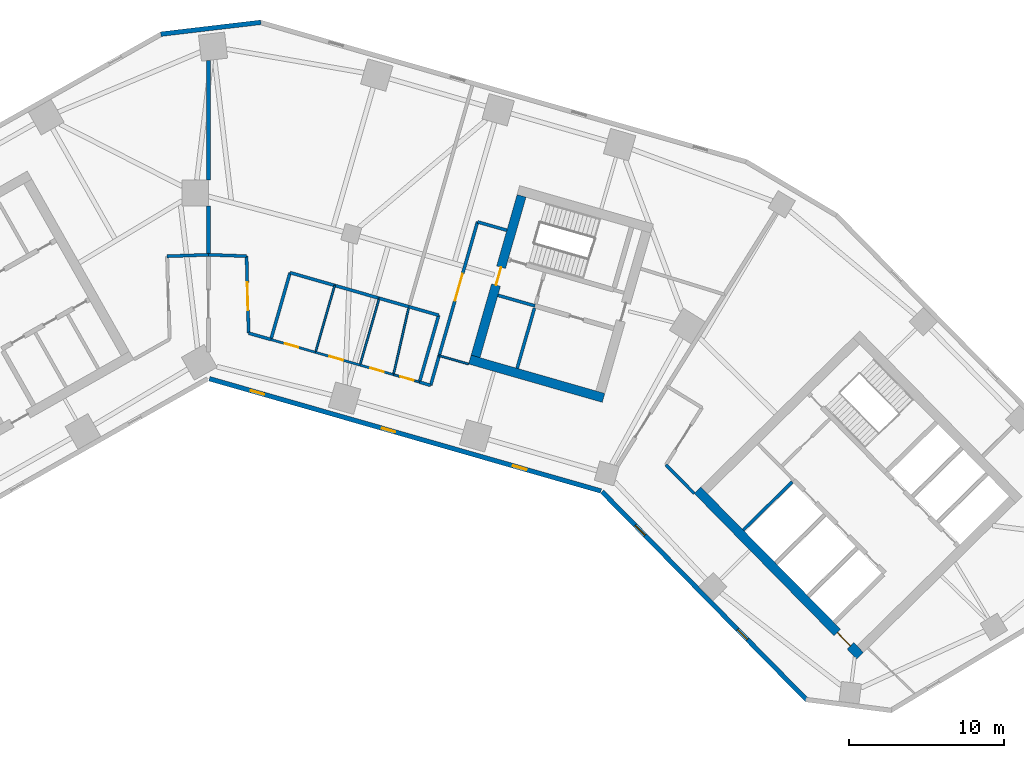
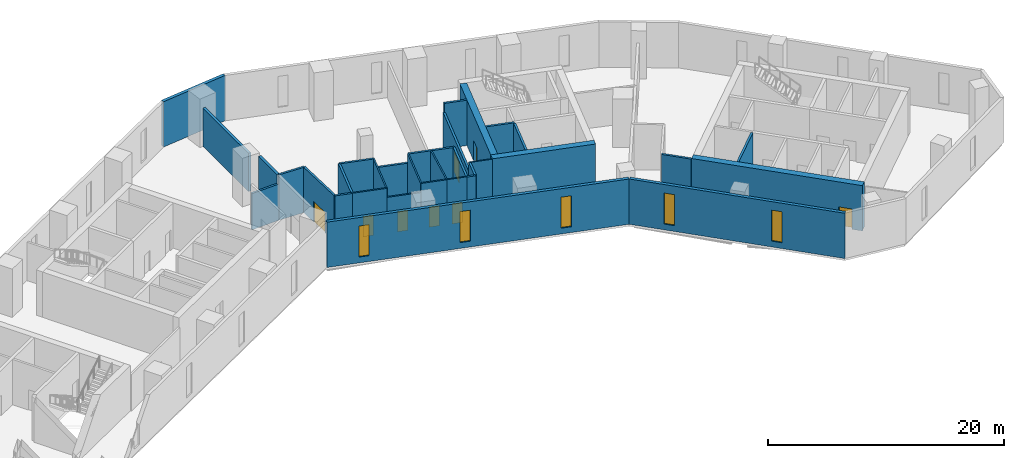
# One storey, part 5 of 10: 34 walls, 8 doors, 5 windows, 13 openings.
"""IFC4 building model written with IfcOpenShell, lengths in metres."""

from ifc_helpers import new_model, si_unit, direction, frame, frame_2d, origin, place, context, subcontext, project, spatial, rectangle, extrude, material, layer, layer_set, type_object, element, fill, save


model = new_model("IFC4")

# Units and contexts
model_context = context("Model", 3, precision=1e-05, world=origin(), true_north=direction((0.0, 1.0)))
body_context = subcontext(model_context, "Body", "Model", "MODEL_VIEW")
ifc_project = project(units=[si_unit("LENGTHUNIT", "METRE"), si_unit("AREAUNIT", "SQUARE_METRE"), si_unit("VOLUMEUNIT", "CUBIC_METRE"), si_unit("PLANEANGLEUNIT", "RADIAN"), si_unit("MASSUNIT", "GRAM", prefix="KILO")], contexts=[model_context])

# Site, building, storey
site_placement = place(None, origin())
site = spatial("IfcSite", under=ifc_project, at=site_placement, CompositionType="ELEMENT")
building_placement = place(site_placement, origin())
building = spatial("IfcBuilding", under=site, at=building_placement, Name="Binnacle Exchange Tower", CompositionType="ELEMENT")
storey_placement = place(building_placement, frame((0.0, 0.0, 31.5)))
storey = spatial("IfcBuildingStorey", under=building, at=storey_placement, Name="L06", CompositionType="ELEMENT", Elevation=31.5)

# Wall, opening, door
ifc_material_1 = material(Name="Concrete C70/85", Category="concrete")
ifc_layer_1 = layer(ifc_material_1, 0.60009765625)
ifc_layer_set_1 = layer_set([ifc_layer_1], Name="Core wall - outer 600")
wall_type_1 = type_object("IfcWallType", Name="Core wall - outer 600", PredefinedType="SOLIDWALL", material=ifc_layer_set_1)
wall_1_placement = place(storey_placement, frame((31.6455078125, 40.7626953125, 0.0), z_axis=(0.0, 0.0, 1.0), x_axis=(0.700911255944, -0.713248491965, 0.0)))
wall_1 = element("IfcWall", 1, at=wall_1_placement, inside=storey, type_object=wall_type_1, Name="Core wall CRWB1", PredefinedType="SOLIDWALL", context=body_context, shape_type="SweptSolid", body=[
    extrude(rectangle(XDim=15.0, YDim=0.60009765625, at=frame_2d((7.5, 0.0))), origin(), (0.0, 0.0, 1.0), 4.679931640625),
])
opening_1_placement = place(wall_1_placement, frame((12.89990234375, 0.0, 0.0)))
opening_1 = element("IfcOpeningElement", 2, at=opening_1_placement, cuts=wall_1, Name="Opening DB7", PredefinedType="OPENING", context=body_context, shape_type="SweptSolid", body=[
    extrude(rectangle(XDim=1.199951171875, YDim=2.10009765625, at=frame_2d((0.60009765625, 1.050048828125))), frame((0.0, 0.31005859375, 0.0), z_axis=(0.0, -1.0, 0.0), x_axis=(1.0, 0.0, 0.0)), (0.0, 0.0, 1.0), 0.6201171875),
])
ifc_material_2 = material(Name="Steel door leaf", Category="steel")
door_type_1 = type_object("IfcDoorType", Name="Fire door 1200", OperationType="NOTDEFINED", PredefinedType="DOOR", material=ifc_material_2)
door_1_placement = place(opening_1_placement, frame((1.199951171875, 0.0, 0.0), z_axis=(0.0, 0.0, 1.0), x_axis=(-1.0, 0.0, 0.0)))
door_1 = element("IfcDoor", 3, at=door_1_placement, inside=storey, type_object=door_type_1, Name="Lift lobby entrance door core B", OperationType="SINGLE_SWING_LEFT", OverallHeight=2.10009765625, OverallWidth=1.199951171875, PredefinedType="DOOR", context=body_context, shape_type="SweptSolid", body=[
    extrude(rectangle(XDim=1.199951171875, YDim=2.10009765625, at=frame_2d((0.60009765625, 1.050048828125))), frame((0.0, 0.02490234375, 0.0), z_axis=(0.0, -1.0, 0.0), x_axis=(1.0, 0.0, 0.0)), (0.0, 0.0, 1.0), 0.050048828125),
])
fill(opening_1, door_1)

# Wall
wall_2_placement = place(storey_placement, frame((16.91064453125, 49.22119140625, 0.0), z_axis=(0.0, 0.0, 1.0), x_axis=(0.96126248289, -0.275634611374, 0.0)))
element("IfcWall", 4, at=wall_2_placement, inside=storey, type_object=wall_type_1, Name="Core wall CRWD1", PredefinedType="SOLIDWALL", context=body_context, shape_type="SweptSolid", body=[
    extrude(rectangle(XDim=9.0, YDim=0.60009765625, at=frame_2d((4.5, 0.0))), origin(), (0.0, 0.0, 1.0), 4.679931640625),
])

# Wall, opening, door
wall_3_placement = place(storey_placement, frame((17.28173828125, 49.427001953125, 0.0), z_axis=(0.0, 0.0, 1.0), x_axis=(0.275631631629, 0.961263337304, 0.0)))
wall_3 = element("IfcWall", 5, at=wall_3_placement, inside=storey, type_object=wall_type_1, Name="Core wall CRWD7", PredefinedType="SOLIDWALL", context=body_context, shape_type="SweptSolid", body=[
    extrude(rectangle(XDim=10.800048828125, YDim=0.60009765625, at=frame_2d((5.39990234375, 0.0))), origin(), (0.0, 0.0, 1.0), 4.679931640625),
])
opening_2_placement = place(wall_3_placement, frame((4.800048828125, 0.0, 0.0)))
opening_2 = element("IfcOpeningElement", 6, at=opening_2_placement, cuts=wall_3, Name="Opening DD5", PredefinedType="OPENING", context=body_context, shape_type="SweptSolid", body=[
    extrude(rectangle(XDim=1.199951171875, YDim=2.10009765625, at=frame_2d((0.60009765625, 1.050048828125))), frame((0.0, 0.31005859375, 0.0), z_axis=(0.0, -1.0, 0.0), x_axis=(1.0, 0.0, 0.0)), (0.0, 0.0, 1.0), 0.6201171875),
])
door_2_placement = place(opening_2_placement, origin())
door_2 = element("IfcDoor", 7, at=door_2_placement, inside=storey, type_object=door_type_1, Name="Vestibule exit door VEST-W", OperationType="SINGLE_SWING_RIGHT", OverallHeight=2.10009765625, OverallWidth=1.199951171875, PredefinedType="DOOR", context=body_context, shape_type="SweptSolid", body=[
    extrude(rectangle(XDim=1.199951171875, YDim=2.10009765625, at=frame_2d((0.60009765625, 1.050048828125))), frame((0.0, 0.02490234375, 0.0), z_axis=(0.0, -1.0, 0.0), x_axis=(1.0, 0.0, 0.0)), (0.0, 0.0, 1.0), 0.050048828125),
])
fill(opening_2, door_2)

# Wall
ifc_material_3 = material(Name="Bronze aluminium cladding", Category="aluminium")
ifc_layer_2 = layer(ifc_material_3, 0.300048828125)
ifc_layer_set_2 = layer_set([ifc_layer_2], Name="External wall - spandrel 300")
wall_type_2 = type_object("IfcWallType", Name="External wall - spandrel 300", PredefinedType="STANDARD", material=ifc_layer_set_2)
wall_4_placement = place(storey_placement, frame((-3.076171875, 70.27294921875, 0.0), z_axis=(0.0, 0.0, 1.0), x_axis=(0.993067743007, 0.117543429416, 0.0)))
element("IfcWall", 8, at=wall_4_placement, inside=storey, type_object=wall_type_2, Name="External wall EW-F02 L06", PredefinedType="STANDARD", context=body_context, shape_type="SweptSolid", body=[
    extrude(rectangle(XDim=6.515625, YDim=0.300048828125, at=frame_2d((3.2578125, 0.0))), origin(), (0.0, 0.0, 1.0), 4.679931640625),
])

# Wall, openings, windows
wall_5_placement = place(storey_placement, frame((25.398193359375, 40.71728515625, 0.0), z_axis=(0.0, 0.0, 1.0), x_axis=(-0.961262423262, 0.275634819324, 0.0)))
wall_5 = element("IfcWall", 9, at=wall_5_placement, inside=storey, type_object=wall_type_2, Name="External wall EW-F08 L06", PredefinedType="STANDARD", context=body_context, shape_type="SweptSolid", body=[
    extrude(rectangle(XDim=26.358642578125, YDim=0.300048828125, at=frame_2d((13.17919921875, 0.0))), origin(), (0.0, 0.0, 1.0), 4.679931640625),
])
opening_3_placement = place(wall_5_placement, frame((22.6640625, 0.0, 0.60009765625)))
opening_3 = element("IfcOpeningElement", 10, at=opening_3_placement, cuts=wall_5, Name="Opening WS1", PredefinedType="OPENING", context=body_context, shape_type="SweptSolid", body=[
    extrude(rectangle(XDim=0.89990234375, YDim=3.199951171875, at=frame_2d((0.449951171875, 1.60009765625))), frame((0.0, 0.159912109375, 0.0), z_axis=(0.0, -1.0, 0.0), x_axis=(1.0, 0.0, 0.0)), (0.0, 0.0, 1.0), 0.320068359375),
])
opening_4_placement = place(wall_5_placement, frame((13.843505859375, 0.0, 0.60009765625)))
opening_4 = element("IfcOpeningElement", 11, at=opening_4_placement, cuts=wall_5, Name="Opening WS1", PredefinedType="OPENING", context=body_context, shape_type="SweptSolid", body=[
    extrude(rectangle(XDim=0.89990234375, YDim=3.199951171875, at=frame_2d((0.449951171875, 1.60009765625))), frame((0.0, 0.159912109375, 0.0), z_axis=(0.0, -1.0, 0.0), x_axis=(1.0, 0.0, 0.0)), (0.0, 0.0, 1.0), 0.320068359375),
])
opening_5_placement = place(wall_5_placement, frame((5.023193359375, 0.0, 0.60009765625)))
opening_5 = element("IfcOpeningElement", 12, at=opening_5_placement, cuts=wall_5, Name="Opening WS1", PredefinedType="OPENING", context=body_context, shape_type="SweptSolid", body=[
    extrude(rectangle(XDim=0.89990234375, YDim=3.199951171875, at=frame_2d((0.449951171875, 1.60009765625))), frame((0.0, 0.159912109375, 0.0), z_axis=(0.0, -1.0, 0.0), x_axis=(1.0, 0.0, 0.0)), (0.0, 0.0, 1.0), 0.320068359375),
])
ifc_material_4 = material(Name="Bronze anodised aluminium frame", Category="aluminium")
window_type = type_object("IfcWindowType", Name="WS1 WINDOW 900x3200", PartitioningType="SINGLE_PANEL", PredefinedType="WINDOW", material=ifc_material_4)
window_1_placement = place(opening_3_placement, origin())
window_1 = element("IfcWindow", 13, at=window_1_placement, inside=storey, type_object=window_type, Name="Window WS1 L06", OverallHeight=3.199951171875, OverallWidth=0.89990234375, PartitioningType="SINGLE_PANEL", PredefinedType="WINDOW", context=body_context, shape_type="SweptSolid", body=[
    extrude(rectangle(XDim=0.89990234375, YDim=3.199951171875, at=frame_2d((0.449951171875, 1.60009765625))), frame((0.0, 0.030029296875, 0.0), z_axis=(0.0, -1.0, 0.0), x_axis=(1.0, 0.0, 0.0)), (0.0, 0.0, 1.0), 0.06005859375),
])
fill(opening_3, window_1)
window_2_placement = place(opening_4_placement, origin())
window_2 = element("IfcWindow", 14, at=window_2_placement, inside=storey, type_object=window_type, Name="Window WS1 L06", OverallHeight=3.199951171875, OverallWidth=0.89990234375, PartitioningType="SINGLE_PANEL", PredefinedType="WINDOW", context=body_context, shape_type="SweptSolid", body=[
    extrude(rectangle(XDim=0.89990234375, YDim=3.199951171875, at=frame_2d((0.449951171875, 1.60009765625))), frame((0.0, 0.030029296875, 0.0), z_axis=(0.0, -1.0, 0.0), x_axis=(1.0, 0.0, 0.0)), (0.0, 0.0, 1.0), 0.06005859375),
])
fill(opening_4, window_2)
window_3_placement = place(opening_5_placement, origin())
window_3 = element("IfcWindow", 15, at=window_3_placement, inside=storey, type_object=window_type, Name="Window WS1 L06", OverallHeight=3.199951171875, OverallWidth=0.89990234375, PartitioningType="SINGLE_PANEL", PredefinedType="WINDOW", context=body_context, shape_type="SweptSolid", body=[
    extrude(rectangle(XDim=0.89990234375, YDim=3.199951171875, at=frame_2d((0.449951171875, 1.60009765625))), frame((0.0, 0.030029296875, 0.0), z_axis=(0.0, -1.0, 0.0), x_axis=(1.0, 0.0, 0.0)), (0.0, 0.0, 1.0), 0.06005859375),
])
fill(opening_5, window_3)

wall_6_placement = place(storey_placement, frame((38.727294921875, 27.18115234375, 0.0), z_axis=(0.0, 0.0, 1.0), x_axis=(-0.700906405975, 0.713253258011, 0.0)))
wall_6 = element("IfcWall", 16, at=wall_6_placement, inside=storey, type_object=wall_type_2, Name="External wall EW-F09 L06", PredefinedType="STANDARD", context=body_context, shape_type="SweptSolid", body=[
    extrude(rectangle(XDim=18.92333984375, YDim=0.300048828125, at=frame_2d((9.461669921875, 0.0))), origin(), (0.0, 0.0, 1.0), 4.679931640625),
])
opening_6_placement = place(wall_6_placement, frame((14.967041015625, 0.0, 0.60009765625)))
opening_6 = element("IfcOpeningElement", 17, at=opening_6_placement, cuts=wall_6, Name="Opening WS1", PredefinedType="OPENING", context=body_context, shape_type="SweptSolid", body=[
    extrude(rectangle(XDim=0.89990234375, YDim=3.199951171875, at=frame_2d((0.449951171875, 1.60009765625))), frame((0.0, 0.159912109375, 0.0), z_axis=(0.0, -1.0, 0.0), x_axis=(1.0, 0.0, 0.0)), (0.0, 0.0, 1.0), 0.320068359375),
])
opening_7_placement = place(wall_6_placement, frame((5.51171875, 0.0, 0.60009765625)))
opening_7 = element("IfcOpeningElement", 18, at=opening_7_placement, cuts=wall_6, Name="Opening WS1", PredefinedType="OPENING", context=body_context, shape_type="SweptSolid", body=[
    extrude(rectangle(XDim=0.89990234375, YDim=3.199951171875, at=frame_2d((0.449951171875, 1.60009765625))), frame((0.0, 0.159912109375, 0.0), z_axis=(0.0, -1.0, 0.0), x_axis=(1.0, 0.0, 0.0)), (0.0, 0.0, 1.0), 0.320068359375),
])
window_4_placement = place(opening_6_placement, origin())
window_4 = element("IfcWindow", 19, at=window_4_placement, inside=storey, type_object=window_type, Name="Window WS1 L06", OverallHeight=3.199951171875, OverallWidth=0.89990234375, PartitioningType="SINGLE_PANEL", PredefinedType="WINDOW", context=body_context, shape_type="SweptSolid", body=[
    extrude(rectangle(XDim=0.89990234375, YDim=3.199951171875, at=frame_2d((0.449951171875, 1.60009765625))), frame((0.0, 0.030029296875, 0.0), z_axis=(0.0, -1.0, 0.0), x_axis=(1.0, 0.0, 0.0)), (0.0, 0.0, 1.0), 0.06005859375),
])
fill(opening_6, window_4)
window_5_placement = place(opening_7_placement, origin())
window_5 = element("IfcWindow", 20, at=window_5_placement, inside=storey, type_object=window_type, Name="Window WS1 L06", OverallHeight=3.199951171875, OverallWidth=0.89990234375, PartitioningType="SINGLE_PANEL", PredefinedType="WINDOW", context=body_context, shape_type="SweptSolid", body=[
    extrude(rectangle(XDim=0.89990234375, YDim=3.199951171875, at=frame_2d((0.449951171875, 1.60009765625))), frame((0.0, 0.030029296875, 0.0), z_axis=(0.0, -1.0, 0.0), x_axis=(1.0, 0.0, 0.0)), (0.0, 0.0, 1.0), 0.06005859375),
])
fill(opening_7, window_5)

# Walls
ifc_material_5 = material(Name="Masonry block wall", Category="masonry")
ifc_layer_3 = layer(ifc_material_5, 0.199951171875)
ifc_layer_set_3 = layer_set([ifc_layer_3], Name="Fire wall - block 200")
wall_type_3 = type_object("IfcWallType", Name="Fire wall - block 200", PredefinedType="PARTITIONING", material=ifc_layer_set_3)
wall_7_placement = place(storey_placement, frame((-2.669921875, 55.904052734375, 0.0), z_axis=(0.0, 0.0, 1.0), x_axis=(0.999354913865, 0.03591317494, 0.0)))
element("IfcWall", 21, at=wall_7_placement, inside=storey, type_object=wall_type_3, Name="Partition W08", PredefinedType="PARTITIONING", context=body_context, shape_type="SweptSolid", body=[
    extrude(rectangle(XDim=2.671630859375, YDim=0.199951171875, at=frame_2d((1.3359375, 0.0))), origin(), (0.0, 0.0, 1.0), 3.741943359375),
])
wall_8_placement = place(storey_placement, frame((0.0, 56.0, 0.0), z_axis=(0.0, 0.0, 1.0), x_axis=(0.999349313684, -0.036068673934, 0.0)))
element("IfcWall", 22, at=wall_8_placement, inside=storey, type_object=wall_type_3, Name="Partition W11", PredefinedType="PARTITIONING", context=body_context, shape_type="SweptSolid", body=[
    extrude(rectangle(XDim=2.470703125, YDim=0.199951171875, at=frame_2d((1.2353515625, 0.0))), origin(), (0.0, 0.0, 1.0), 4.679931640625),
])

# Wall, opening, door
wall_9_placement = place(storey_placement, frame((2.468994140625, 55.910888671875, 0.0), z_axis=(0.0, 0.0, 1.0), x_axis=(0.02651808123, -0.999648333849, 0.0)))
wall_9 = element("IfcWall", 23, at=wall_9_placement, inside=storey, type_object=wall_type_3, Name="Partition W13", PredefinedType="PARTITIONING", context=body_context, shape_type="SweptSolid", body=[
    extrude(rectangle(XDim=4.980712890625, YDim=0.199951171875, at=frame_2d((2.490234375, 0.0))), origin(), (0.0, 0.0, 1.0), 4.679931640625),
])
opening_8_placement = place(wall_9_placement, frame((1.699951171875, 0.0, 0.0)))
opening_8 = element("IfcOpeningElement", 24, at=opening_8_placement, cuts=wall_9, Name="Opening DL05-08", PredefinedType="OPENING", context=body_context, shape_type="SweptSolid", body=[
    extrude(rectangle(XDim=1.800048828125, YDim=2.10009765625, at=frame_2d((0.89990234375, 1.050048828125))), frame((0.0, 0.10986328125, 0.0), z_axis=(0.0, -1.0, 0.0), x_axis=(1.0, 0.0, 0.0)), (0.0, 0.0, 1.0), 0.219970703125),
])
door_type_2 = type_object("IfcDoorType", Name="Fire door 1800", OperationType="NOTDEFINED", PredefinedType="DOOR", material=ifc_material_2)
door_3_placement = place(opening_8_placement, origin())
door_3 = element("IfcDoor", 25, at=door_3_placement, inside=storey, type_object=door_type_2, Name="Door DL05-08", OperationType="DOUBLE_DOOR_SINGLE_SWING", OverallHeight=2.10009765625, OverallWidth=1.800048828125, PredefinedType="DOOR", context=body_context, shape_type="SweptSolid", body=[
    extrude(rectangle(XDim=1.800048828125, YDim=2.10009765625, at=frame_2d((0.89990234375, 1.050048828125))), frame((0.0, 0.02490234375, 0.0), z_axis=(0.0, -1.0, 0.0), x_axis=(1.0, 0.0, 0.0)), (0.0, 0.0, 1.0), 0.050048828125),
])
fill(opening_8, door_3)

# Walls
wall_10_placement = place(storey_placement, frame((2.60107421875, 50.931884765625, 0.0), z_axis=(0.0, 0.0, 1.0), x_axis=(0.961197773994, -0.27586018065, 0.0)))
element("IfcWall", 26, at=wall_10_placement, inside=storey, type_object=wall_type_3, Name="Partition W14", PredefinedType="PARTITIONING", context=body_context, shape_type="SweptSolid", body=[
    extrude(rectangle(XDim=1.5, YDim=0.199951171875, at=frame_2d((0.75, 0.0))), origin(), (0.0, 0.0, 1.0), 4.679931640625),
])
wall_11_placement = place(storey_placement, frame((4.04296875, 50.51806640625, 0.0), z_axis=(0.0, 0.0, 1.0), x_axis=(0.275745553681, 0.96123066411, 0.0)))
element("IfcWall", 27, at=wall_11_placement, inside=storey, type_object=wall_type_3, Name="Partition W15", PredefinedType="PARTITIONING", context=body_context, shape_type="SweptSolid", body=[
    extrude(rectangle(XDim=4.50048828125, YDim=0.199951171875, at=frame_2d((2.250244140625, 0.0))), origin(), (0.0, 0.0, 1.0), 4.679931640625),
])
wall_12_placement = place(storey_placement, frame((5.283935546875, 54.843994140625, 0.0), z_axis=(0.0, 0.0, 1.0), x_axis=(0.961243927922, -0.275699312717, 0.0)))
element("IfcWall", 28, at=wall_12_placement, inside=storey, type_object=wall_type_3, Name="Partition W17", PredefinedType="PARTITIONING", context=body_context, shape_type="SweptSolid", body=[
    extrude(rectangle(XDim=2.999267578125, YDim=0.199951171875, at=frame_2d((1.49951171875, 0.0))), origin(), (0.0, 0.0, 1.0), 4.679931640625),
])
wall_13_placement = place(storey_placement, frame((8.1669921875, 54.01708984375, 0.0), z_axis=(0.0, 0.0, 1.0), x_axis=(0.961247103494, -0.275688240636, 0.0)))
element("IfcWall", 29, at=wall_13_placement, inside=storey, type_object=wall_type_3, Name="Partition W20", PredefinedType="PARTITIONING", context=body_context, shape_type="SweptSolid", body=[
    extrude(rectangle(XDim=3.000244140625, YDim=0.199951171875, at=frame_2d((1.5, 0.0))), origin(), (0.0, 0.0, 1.0), 3.741943359375),
])
wall_14_placement = place(storey_placement, frame((11.051025390625, 53.18994140625, 0.0), z_axis=(0.0, 0.0, 1.0), x_axis=(0.961316434736, -0.275446387355, 0.0)))
element("IfcWall", 30, at=wall_14_placement, inside=storey, type_object=wall_type_3, Name="Partition W23", PredefinedType="PARTITIONING", context=body_context, shape_type="SweptSolid", body=[
    extrude(rectangle(XDim=2.00048828125, YDim=0.199951171875, at=frame_2d((1.000244140625, 0.0))), origin(), (0.0, 0.0, 1.0), 4.679931640625),
])
wall_15_placement = place(storey_placement, frame((12.97412109375, 52.638916015625, 0.0), z_axis=(0.0, 0.0, 1.0), x_axis=(0.961270097305, -0.275608055084, 0.0)))
element("IfcWall", 31, at=wall_15_placement, inside=storey, type_object=wall_type_3, Name="Partition W26", PredefinedType="PARTITIONING", context=body_context, shape_type="SweptSolid", body=[
    extrude(rectangle(XDim=1.999267578125, YDim=0.199951171875, at=frame_2d((0.99951171875, 0.0))), origin(), (0.0, 0.0, 1.0), 4.679931640625),
])
wall_16_placement = place(storey_placement, frame((13.656005859375, 47.761962890625, 0.0), z_axis=(0.0, 0.0, 1.0), x_axis=(0.961154610169, -0.276010534854, 0.0)))
element("IfcWall", 32, at=wall_16_placement, inside=storey, type_object=wall_type_3, Name="Partition W28", PredefinedType="PARTITIONING", context=body_context, shape_type="SweptSolid", body=[
    extrude(rectangle(XDim=0.75, YDim=0.199951171875, at=frame_2d((0.375, 0.0))), origin(), (0.0, 0.0, 1.0), 4.679931640625),
])
wall_17_placement = place(storey_placement, frame((13.656005859375, 47.761962890625, 0.0), z_axis=(0.0, 0.0, 1.0), x_axis=(0.275545040649, 0.96128816209, 0.0)))
element("IfcWall", 33, at=wall_17_placement, inside=storey, type_object=wall_type_3, Name="Partition W29", PredefinedType="PARTITIONING", context=body_context, shape_type="SweptSolid", body=[
    extrude(rectangle(XDim=4.500244140625, YDim=0.199951171875, at=frame_2d((2.25, 0.0))), origin(), (0.0, 0.0, 1.0), 4.679931640625),
])
wall_18_placement = place(storey_placement, frame((14.376953125, 47.554931640625, 0.0), z_axis=(0.0, 0.0, 1.0), x_axis=(0.275446387355, 0.961316434736, 0.0)))
element("IfcWall", 34, at=wall_18_placement, inside=storey, type_object=wall_type_3, Name="Partition W30", PredefinedType="PARTITIONING", context=body_context, shape_type="SweptSolid", body=[
    extrude(rectangle(XDim=2.00048828125, YDim=0.199951171875, at=frame_2d((1.000244140625, 0.0))), origin(), (0.0, 0.0, 1.0), 4.679931640625),
])

# Wall, opening, door
wall_19_placement = place(storey_placement, frame((14.927978515625, 49.47802734375, 0.0), z_axis=(0.0, 0.0, 1.0), x_axis=(0.275674053528, 0.961251172281, 0.0)))
wall_19 = element("IfcWall", 35, at=wall_19_placement, inside=storey, type_object=wall_type_3, Name="Partition W32", PredefinedType="PARTITIONING", context=body_context, shape_type="SweptSolid", body=[
    extrude(rectangle(XDim=8.99951171875, YDim=0.199951171875, at=frame_2d((4.499755859375, 0.0))), origin(), (0.0, 0.0, 1.0), 3.741943359375),
])
opening_9_placement = place(wall_19_placement, frame((3.699951171875, 0.0, 0.0)))
opening_9 = element("IfcOpeningElement", 36, at=opening_9_placement, cuts=wall_19, Name="Opening DL05-09", PredefinedType="OPENING", context=body_context, shape_type="SweptSolid", body=[
    extrude(rectangle(XDim=1.800048828125, YDim=2.10009765625, at=frame_2d((0.89990234375, 1.050048828125))), frame((0.0, 0.10986328125, 0.0), z_axis=(0.0, -1.0, 0.0), x_axis=(1.0, 0.0, 0.0)), (0.0, 0.0, 1.0), 0.219970703125),
])
door_4_placement = place(opening_9_placement, origin())
door_4 = element("IfcDoor", 37, at=door_4_placement, inside=storey, type_object=door_type_2, Name="Door DL05-09", OperationType="DOUBLE_DOOR_SINGLE_SWING", OverallHeight=2.10009765625, OverallWidth=1.800048828125, PredefinedType="DOOR", context=body_context, shape_type="SweptSolid", body=[
    extrude(rectangle(XDim=1.800048828125, YDim=2.10009765625, at=frame_2d((0.89990234375, 1.050048828125))), frame((0.0, 0.02490234375, 0.0), z_axis=(0.0, -1.0, 0.0), x_axis=(1.0, 0.0, 0.0)), (0.0, 0.0, 1.0), 0.050048828125),
])
fill(opening_9, door_4)

# Walls
wall_20_placement = place(storey_placement, frame((17.408935546875, 58.12890625, 0.0), z_axis=(0.0, 0.0, 1.0), x_axis=(0.961253165474, -0.275667103345, 0.0)))
element("IfcWall", 38, at=wall_20_placement, inside=storey, type_object=wall_type_3, Name="Partition W33", PredefinedType="PARTITIONING", context=body_context, shape_type="SweptSolid", body=[
    extrude(rectangle(XDim=1.976806640625, YDim=0.199951171875, at=frame_2d((0.98828125, 0.0))), origin(), (0.0, 0.0, 1.0), 4.679931640625),
])
wall_21_placement = place(storey_placement, frame((29.60009765625, 42.416015625, 0.0), z_axis=(0.0, 0.0, 1.0), x_axis=(0.700914320664, -0.713245480244, 0.0)))
element("IfcWall", 39, at=wall_21_placement, inside=storey, type_object=wall_type_3, Name="Partition W36", PredefinedType="PARTITIONING", context=body_context, shape_type="SweptSolid", body=[
    extrude(rectangle(XDim=2.613525390625, YDim=0.199951171875, at=frame_2d((1.306640625, 0.0))), origin(), (0.0, 0.0, 1.0), 4.679931640625),
])
ifc_material_6 = material(Name="Concrete fire wall C30/37", Category="concrete")
ifc_layer_4 = layer(ifc_material_6, 0.25)
ifc_layer_set_4 = layer_set([ifc_layer_4], Name="Fire wall - compartment 250")
wall_type_4 = type_object("IfcWallType", Name="Fire wall - compartment 250", PredefinedType="PARTITIONING", material=ifc_layer_set_4)
wall_22_placement = place(storey_placement, frame((0.0, 56.0, 0.0), z_axis=(0.0, 0.0, 1.0), x_axis=(0.0, 1.0, 0.0)))
element("IfcWall", 40, at=wall_22_placement, inside=storey, type_object=wall_type_4, Name="Fire Wall W10", PredefinedType="PARTITIONING", context=body_context, shape_type="SweptSolid", body=[
    extrude(rectangle(XDim=3.14990234375, YDim=0.25, at=frame_2d((1.574951171875, 0.0))), origin(), (0.0, 0.0, 1.0), 4.679931640625),
])
wall_23_placement = place(storey_placement, frame((0.0, 60.85009765625, 0.0), z_axis=(0.0, 0.0, 1.0), x_axis=(0.0, 1.0, 0.0)))
element("IfcWall", 41, at=wall_23_placement, inside=storey, type_object=wall_type_4, Name="Fire Wall W12", PredefinedType="PARTITIONING", context=body_context, shape_type="SweptSolid", body=[
    extrude(rectangle(XDim=7.722900390625, YDim=0.25, at=frame_2d((3.861328125, 0.0))), origin(), (0.0, 0.0, 1.0), 3.951904296875),
])

# Wall, opening, door
ifc_material_7 = material(Name="Gypsum partition fire rated")
ifc_layer_5 = layer(ifc_material_7, 0.14990234375)
ifc_layer_set_5 = layer_set([ifc_layer_5], Name="Fire-rated partition 150")
wall_type_5 = type_object("IfcWallType", Name="Fire-rated partition 150", PredefinedType="PARTITIONING", material=ifc_layer_set_5)
wall_24_placement = place(storey_placement, frame((4.04296875, 50.51806640625, 0.0), z_axis=(0.0, 0.0, 1.0), x_axis=(0.961247103494, -0.275688240636, 0.0)))
wall_24 = element("IfcWall", 42, at=wall_24_placement, inside=storey, type_object=wall_type_5, Name="Partition W16", PredefinedType="PARTITIONING", context=body_context, shape_type="SweptSolid", body=[
    extrude(rectangle(XDim=3.000244140625, YDim=0.14990234375, at=frame_2d((1.5, 0.0))), origin(), (0.0, 0.0, 1.0), 4.679931640625),
])
opening_10_placement = place(wall_24_placement, frame((0.949951171875, 0.0, 0.0)))
opening_10 = element("IfcOpeningElement", 43, at=opening_10_placement, cuts=wall_24, Name="Opening DL05-04", PredefinedType="OPENING", context=body_context, shape_type="SweptSolid", body=[
    extrude(rectangle(XDim=0.89990234375, YDim=2.10009765625, at=frame_2d((0.449951171875, 1.050048828125))), frame((0.0, 0.0849609375, 0.0), z_axis=(0.0, -1.0, 0.0), x_axis=(1.0, 0.0, 0.0)), (0.0, 0.0, 1.0), 0.169921875),
])
door_type_3 = type_object("IfcDoorType", Name="Fire door 900", OperationType="NOTDEFINED", PredefinedType="DOOR", material=ifc_material_2)
door_5_placement = place(opening_10_placement, origin())
door_5 = element("IfcDoor", 44, at=door_5_placement, inside=storey, type_object=door_type_3, Name="Door DL05-04", OperationType="SINGLE_SWING_LEFT", OverallHeight=2.10009765625, OverallWidth=0.89990234375, PredefinedType="DOOR", context=body_context, shape_type="SweptSolid", body=[
    extrude(rectangle(XDim=0.89990234375, YDim=2.10009765625, at=frame_2d((0.449951171875, 1.050048828125))), frame((0.0, 0.02490234375, 0.0), z_axis=(0.0, -1.0, 0.0), x_axis=(1.0, 0.0, 0.0)), (0.0, 0.0, 1.0), 0.050048828125),
])
fill(opening_10, door_5)

wall_25_placement = place(storey_placement, frame((6.927001953125, 49.69091796875, 0.0), z_axis=(0.0, 0.0, 1.0), x_axis=(0.961268664977, -0.27561305073, 0.0)))
wall_25 = element("IfcWall", 45, at=wall_25_placement, inside=storey, type_object=wall_type_5, Name="Partition W19", PredefinedType="PARTITIONING", context=body_context, shape_type="SweptSolid", body=[
    extrude(rectangle(XDim=3.000244140625, YDim=0.14990234375, at=frame_2d((1.5, 0.0))), origin(), (0.0, 0.0, 1.0), 3.741943359375),
])
opening_11_placement = place(wall_25_placement, frame((0.949951171875, 0.0, 0.0)))
opening_11 = element("IfcOpeningElement", 46, at=opening_11_placement, cuts=wall_25, Name="Opening DL05-05", PredefinedType="OPENING", context=body_context, shape_type="SweptSolid", body=[
    extrude(rectangle(XDim=0.89990234375, YDim=2.10009765625, at=frame_2d((0.449951171875, 1.050048828125))), frame((0.0, 0.0849609375, 0.0), z_axis=(0.0, -1.0, 0.0), x_axis=(1.0, 0.0, 0.0)), (0.0, 0.0, 1.0), 0.169921875),
])
door_6_placement = place(opening_11_placement, origin())
door_6 = element("IfcDoor", 47, at=door_6_placement, inside=storey, type_object=door_type_3, Name="Door DL05-05", OperationType="SINGLE_SWING_LEFT", OverallHeight=2.10009765625, OverallWidth=0.89990234375, PredefinedType="DOOR", context=body_context, shape_type="SweptSolid", body=[
    extrude(rectangle(XDim=0.89990234375, YDim=2.10009765625, at=frame_2d((0.449951171875, 1.050048828125))), frame((0.0, 0.02490234375, 0.0), z_axis=(0.0, -1.0, 0.0), x_axis=(1.0, 0.0, 0.0)), (0.0, 0.0, 1.0), 0.050048828125),
])
fill(opening_11, door_6)

wall_26_placement = place(storey_placement, frame((9.81103515625, 48.864013671875, 0.0), z_axis=(0.0, 0.0, 1.0), x_axis=(0.961236680145, -0.275724581318, 0.0)))
wall_26 = element("IfcWall", 48, at=wall_26_placement, inside=storey, type_object=wall_type_5, Name="Partition W22", PredefinedType="PARTITIONING", context=body_context, shape_type="SweptSolid", body=[
    extrude(rectangle(XDim=2.2490234375, YDim=0.14990234375, at=frame_2d((1.12451171875, 0.0))), origin(), (0.0, 0.0, 1.0), 4.679931640625),
])
opening_12_placement = place(wall_26_placement, frame((0.699951171875, 0.0, 0.0)))
opening_12 = element("IfcOpeningElement", 49, at=opening_12_placement, cuts=wall_26, Name="Opening DL05-06", PredefinedType="OPENING", context=body_context, shape_type="SweptSolid", body=[
    extrude(rectangle(XDim=0.89990234375, YDim=2.10009765625, at=frame_2d((0.449951171875, 1.050048828125))), frame((0.0, 0.0849609375, 0.0), z_axis=(0.0, -1.0, 0.0), x_axis=(1.0, 0.0, 0.0)), (0.0, 0.0, 1.0), 0.169921875),
])
door_7_placement = place(opening_12_placement, origin())
door_7 = element("IfcDoor", 50, at=door_7_placement, inside=storey, type_object=door_type_3, Name="Door DL05-06", OperationType="SINGLE_SWING_RIGHT", OverallHeight=2.10009765625, OverallWidth=0.89990234375, PredefinedType="DOOR", context=body_context, shape_type="SweptSolid", body=[
    extrude(rectangle(XDim=0.89990234375, YDim=2.10009765625, at=frame_2d((0.449951171875, 1.050048828125))), frame((0.0, 0.02490234375, 0.0), z_axis=(0.0, -1.0, 0.0), x_axis=(1.0, 0.0, 0.0)), (0.0, 0.0, 1.0), 0.050048828125),
])
fill(opening_12, door_7)

# Walls
ifc_material_8 = material(Name="Gypsum partition")
ifc_layer_6 = layer(ifc_material_8, 0.125)
ifc_layer_set_6 = layer_set([ifc_layer_6], Name="Partition 125")
wall_type_6 = type_object("IfcWallType", Name="Partition 125", PredefinedType="PARTITIONING", material=ifc_layer_set_6)
wall_27_placement = place(storey_placement, frame((6.927001953125, 49.69091796875, 0.0), z_axis=(0.0, 0.0, 1.0), x_axis=(0.275530671241, 0.961292280841, 0.0)))
element("IfcWall", 51, at=wall_27_placement, inside=storey, type_object=wall_type_6, Name="Partition W18", PredefinedType="PARTITIONING", context=body_context, shape_type="SweptSolid", body=[
    extrude(rectangle(XDim=4.50048828125, YDim=0.125, at=frame_2d((2.250244140625, 0.0))), origin(), (0.0, 0.0, 1.0), 4.679931640625),
])
wall_28_placement = place(storey_placement, frame((9.81103515625, 48.864013671875, 0.0), z_axis=(0.0, 0.0, 1.0), x_axis=(0.275545040649, 0.96128816209, 0.0)))
element("IfcWall", 52, at=wall_28_placement, inside=storey, type_object=wall_type_6, Name="Partition W21", PredefinedType="PARTITIONING", context=body_context, shape_type="SweptSolid", body=[
    extrude(rectangle(XDim=4.500244140625, YDim=0.125, at=frame_2d((2.25, 0.0))), origin(), (0.0, 0.0, 1.0), 4.679931640625),
])
wall_29_placement = place(storey_placement, frame((11.972900390625, 48.243896484375, 0.0), z_axis=(0.0, 0.0, 1.0), x_axis=(0.222117362571, 0.975019936845, 0.0)))
element("IfcWall", 53, at=wall_29_placement, inside=storey, type_object=wall_type_6, Name="Partition W24", PredefinedType="PARTITIONING", context=body_context, shape_type="SweptSolid", body=[
    extrude(rectangle(XDim=4.507568359375, YDim=0.125, at=frame_2d((2.25390625, 0.0))), origin(), (0.0, 0.0, 1.0), 4.679931640625),
])

# Wall, opening, door
wall_30_placement = place(storey_placement, frame((11.972900390625, 48.243896484375, 0.0), z_axis=(0.0, 0.0, 1.0), x_axis=(0.96136592135, -0.275273618907, 0.0)))
wall_30 = element("IfcWall", 54, at=wall_30_placement, inside=storey, type_object=wall_type_6, Name="Partition W25", PredefinedType="PARTITIONING", context=body_context, shape_type="SweptSolid", body=[
    extrude(rectangle(XDim=1.750732421875, YDim=0.125, at=frame_2d((0.87548828125, 0.0))), origin(), (0.0, 0.0, 1.0), 4.679931640625),
])
opening_13_placement = place(wall_30_placement, frame((0.449951171875, 0.0, 0.0)))
opening_13 = element("IfcOpeningElement", 55, at=opening_13_placement, cuts=wall_30, Name="Opening DL05-07", PredefinedType="OPENING", context=body_context, shape_type="SweptSolid", body=[
    extrude(rectangle(XDim=0.89990234375, YDim=2.10009765625, at=frame_2d((0.449951171875, 1.050048828125))), frame((0.0, 0.072509765625, 0.0), z_axis=(0.0, -1.0, 0.0), x_axis=(1.0, 0.0, 0.0)), (0.0, 0.0, 1.0), 0.14501953125),
])
ifc_material_9 = material(Name="Timber door leaf", Category="wood")
door_type_4 = type_object("IfcDoorType", Name="Door 900", OperationType="NOTDEFINED", PredefinedType="DOOR", material=ifc_material_9)
door_8_placement = place(opening_13_placement, origin())
door_8 = element("IfcDoor", 56, at=door_8_placement, inside=storey, type_object=door_type_4, Name="Door DL05-07", OperationType="SINGLE_SWING_RIGHT", OverallHeight=2.10009765625, OverallWidth=0.89990234375, PredefinedType="DOOR", context=body_context, shape_type="SweptSolid", body=[
    extrude(rectangle(XDim=0.89990234375, YDim=2.10009765625, at=frame_2d((0.449951171875, 1.050048828125))), frame((0.0, 0.02490234375, 0.0), z_axis=(0.0, -1.0, 0.0), x_axis=(1.0, 0.0, 0.0)), (0.0, 0.0, 1.0), 0.050048828125),
])
fill(opening_13, door_8)

# Walls
wall_31_placement = place(storey_placement, frame((14.927978515625, 49.47802734375, 0.0), z_axis=(0.0, 0.0, 1.0), x_axis=(0.961243778232, -0.27569983462, 0.0)))
element("IfcWall", 57, at=wall_31_placement, inside=storey, type_object=wall_type_6, Name="Partition W31", PredefinedType="PARTITIONING", context=body_context, shape_type="SweptSolid", body=[
    extrude(rectangle(XDim=1.9765625, YDim=0.125, at=frame_2d((0.98828125, 0.0))), origin(), (0.0, 0.0, 1.0), 4.679931640625),
])
ifc_layer_7 = layer(ifc_material_5, 0.199951171875)
ifc_layer_set_7 = layer_set([ifc_layer_7], Name="Riser wall 200")
wall_type_7 = type_object("IfcWallType", Name="Riser wall 200", PredefinedType="SOLIDWALL", material=ifc_layer_set_7)
wall_32_placement = place(storey_placement, frame((34.59326171875, 38.19140625, 0.0), z_axis=(0.0, 0.0, 1.0), x_axis=(0.713252216116, 0.700907466222, 0.0)))
element("IfcWall", 58, at=wall_32_placement, inside=storey, type_object=wall_type_7, Name="Core wall CRWB9", PredefinedType="SOLIDWALL", context=body_context, shape_type="SweptSolid", body=[
    extrude(rectangle(XDim=4.44970703125, YDim=0.199951171875, at=frame_2d((2.224853515625, 0.0))), origin(), (0.0, 0.0, 1.0), 4.679931640625),
])
wall_33_placement = place(storey_placement, frame((18.727783203125, 53.381591796875, 0.0), z_axis=(0.0, 0.0, 1.0), x_axis=(0.961247070632, -0.275688355216, 0.0)))
element("IfcWall", 59, at=wall_33_placement, inside=storey, type_object=wall_type_7, Name="Core wall CRWD2", PredefinedType="SOLIDWALL", context=body_context, shape_type="SweptSolid", body=[
    extrude(rectangle(XDim=2.5, YDim=0.199951171875, at=frame_2d((1.25, 0.0))), origin(), (0.0, 0.0, 1.0), 4.679931640625),
])
wall_34_placement = place(storey_placement, frame((19.97314453125, 48.6552734375, 0.0), z_axis=(0.0, 0.0, 1.0), x_axis=(0.275668441653, 0.961252781674, 0.0)))
element("IfcWall", 60, at=wall_34_placement, inside=storey, type_object=wall_type_7, Name="Core wall CRWD8", PredefinedType="SOLIDWALL", context=body_context, shape_type="SweptSolid", body=[
    extrude(rectangle(XDim=4.050048828125, YDim=0.199951171875, at=frame_2d((2.02490234375, 0.0))), origin(), (0.0, 0.0, 1.0), 4.679931640625),
])

save(model, "model.ifc")
